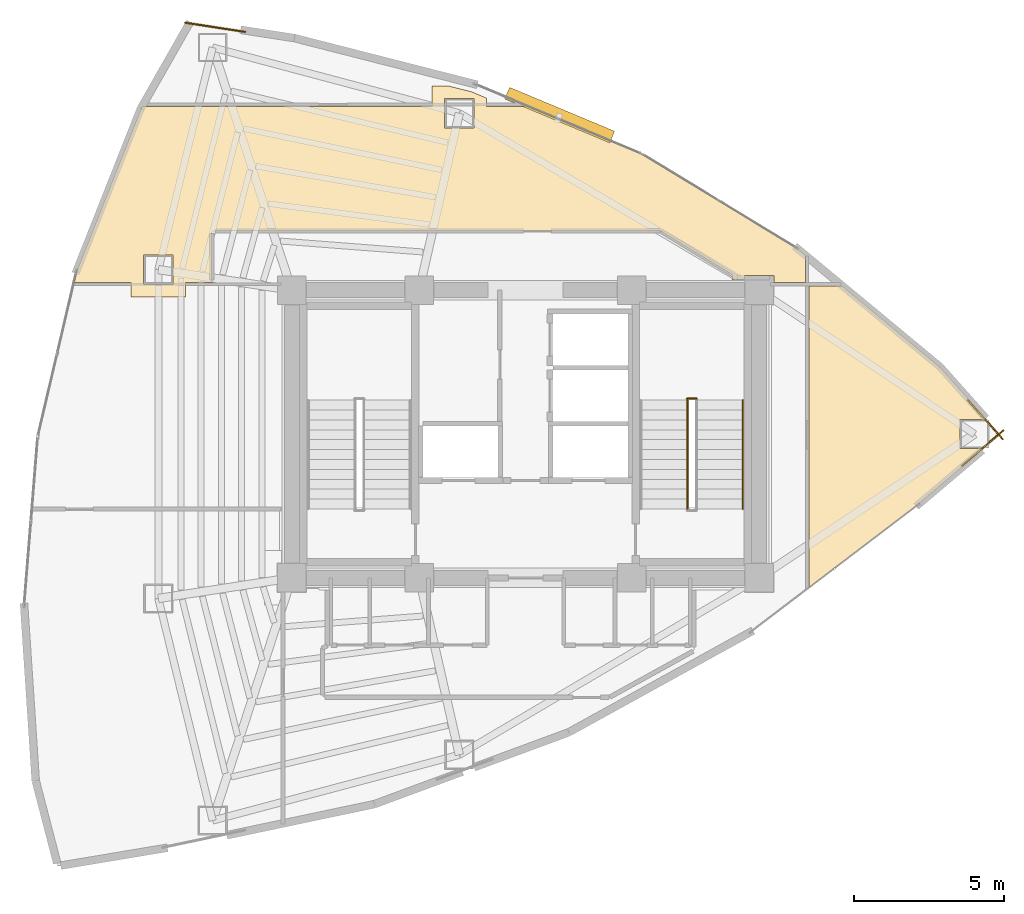
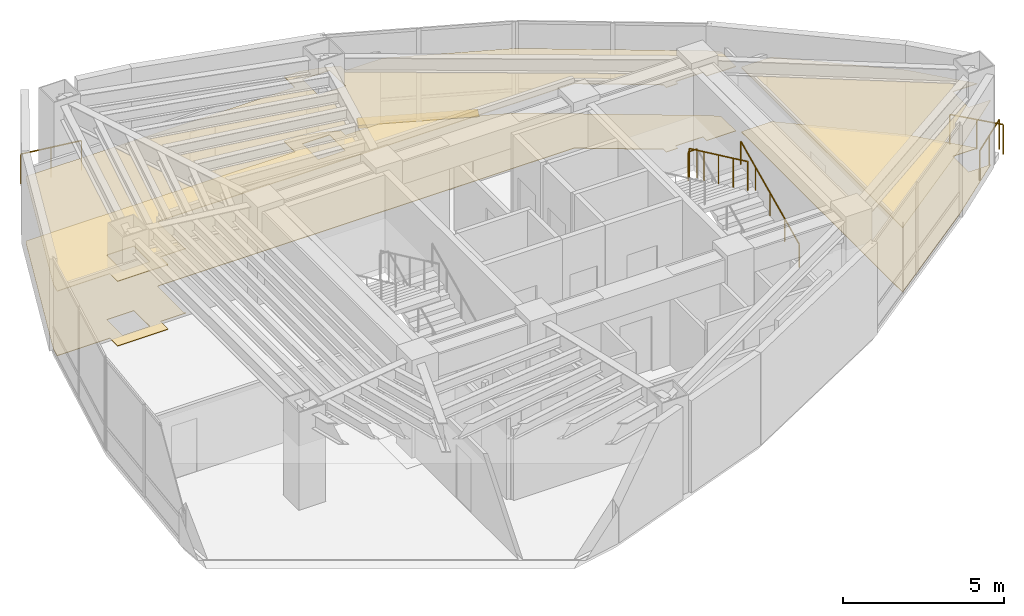
# One storey, part 15 of 15: 6 railings, 4 coverings, 1 shading device.
"""IFC4 building model written with IfcOpenShell, lengths in metres."""

from ifc_helpers import new_model, si_unit, direction, frame, origin, origin_2d, place, context, subcontext, project, spatial, polyline, rectangle, circle, outline, extrude, material, layer, layer_set, type_object, element, save


model = new_model("IFC4")

# Units and contexts
model_context = context("Model", 3, precision=1e-05, world=origin(), true_north=direction((0.0, 1.0)))
body_context = subcontext(model_context, "Body", "Model", "MODEL_VIEW")
ifc_project = project(units=[si_unit("LENGTHUNIT", "METRE"), si_unit("AREAUNIT", "SQUARE_METRE"), si_unit("VOLUMEUNIT", "CUBIC_METRE"), si_unit("PLANEANGLEUNIT", "RADIAN"), si_unit("MASSUNIT", "GRAM", prefix="KILO")], contexts=[model_context])

# Site, building, storey
site_placement = place(None, origin())
site = spatial("IfcSite", under=ifc_project, at=site_placement, CompositionType="ELEMENT")
building_placement = place(site_placement, origin())
building = spatial("IfcBuilding", under=site, at=building_placement, Name="Menara Vayukalpa", CompositionType="ELEMENT")
storey_placement = place(building_placement, frame((0.0, 0.0, 180.360107421875)))
storey = spatial("IfcBuildingStorey", under=building, at=storey_placement, Name="L45", CompositionType="ELEMENT", Elevation=180.360107421875)

# Coverings
ifc_material_1 = material(Name="Mineral Fibre Acoustic Ceiling Tile", Category="masonry")
ifc_layer_1 = layer(ifc_material_1, 0.02490234375)
ifc_layer_set_1 = layer_set([ifc_layer_1], Name="Mineral Fibre Acoustic Ceiling Tile")
covering_type_1 = type_object("IfcCoveringType", Name="COV-CLG1", PredefinedType="CEILING", material=ifc_layer_set_1)
covering_1_placement = place(storey_placement, frame((0.0, 0.0, 2.449951171875)))
element("IfcCovering", 1, at=covering_1_placement, inside=storey, type_object=covering_type_1, Name="L45 Staff Dining and Pantry Acoustic Ceiling", PredefinedType="CEILING", context=body_context, shape_type="SweptSolid", body=[
    extrude(outline(polyline([(39.432861328125, 24.234375), (40.98828125, 22.489990234375), (40.1005859375, 22.489990234375), (40.1005859375, 21.510009765625), (40.89599609375, 21.510009765625), (38.715087890625, 19.6650390625), (38.71484375, 19.66455078125), (35.076171875, 16.89599609375), (35.0751953125, 16.8955078125), (35.074462890625, 16.89501953125), (35.073486328125, 16.89453125), (35.072509765625, 16.894287109375), (35.07177734375, 16.89404296875), (35.07080078125, 16.893798828125), (35.069580078125, 16.893798828125), (35.06884765625, 16.89404296875), (35.06787109375, 16.89404296875), (35.06689453125, 16.894287109375), (35.06591796875, 16.894775390625), (35.065185546875, 16.895263671875), (35.064208984375, 16.895751953125), (35.0634765625, 16.896240234375), (35.062744140625, 16.89697265625), (35.062255859375, 16.897705078125), (35.0615234375, 16.8984375), (35.06103515625, 16.8994140625), (35.060791015625, 16.900146484375), (35.060302734375, 16.90087890625), (35.060302734375, 16.902099609375), (35.06005859375, 16.90283203125), (35.06005859375, 16.90380859375), (35.06005859375, 26.929931640625), (35.06005859375, 26.930908203125), (35.060302734375, 26.931884765625), (35.060302734375, 26.932861328125), (35.060791015625, 26.933837890625), (35.061279296875, 26.934814453125), (35.061767578125, 26.935546875), (35.062255859375, 26.936279296875), (35.06298828125, 26.93701171875), (35.063720703125, 26.937744140625), (35.064453125, 26.938232421875), (35.065185546875, 26.938720703125), (35.066162109375, 26.939208984375), (35.067138671875, 26.939697265625), (35.068115234375, 26.939697265625), (35.069091796875, 26.93994140625), (35.070068359375, 26.93994140625), (36.12890625, 26.93994140625), (36.135009765625, 26.940185546875), (36.140869140625, 26.941162109375), (36.146484375, 26.942626953125), (36.152099609375, 26.944580078125), (36.154052734375, 26.945556640625), (36.155029296875, 26.94580078125), (36.156005859375, 26.9462890625), (36.156982421875, 26.9462890625), (36.15771484375, 26.946533203125), (36.15869140625, 26.946533203125), (36.15966796875, 26.946533203125), (36.16064453125, 26.9462890625), (36.16162109375, 26.946044921875), (36.16259765625, 26.94580078125), (36.163330078125, 26.9453125), (36.164306640625, 26.94482421875), (36.1650390625, 26.9443359375), (39.431640625, 24.2353515625), (39.43212890625, 24.23486328125), (39.432861328125, 24.234375)])), origin(), (0.0, 0.0, 1.0), 0.02490234375),
])
covering_2_placement = place(storey_placement, frame((0.0, 0.0, 2.449951171875)))
element("IfcCovering", 2, at=covering_2_placement, inside=storey, type_object=covering_type_1, Name="L45 Operations Support Office Acoustic Ceiling", PredefinedType="CEILING", context=body_context, shape_type="SweptSolid", body=[
    extrude(outline(polyline([(32.489990234375, 27.322265625), (30.12353515625, 28.759765625), (30.117919921875, 28.762939453125), (30.112060546875, 28.765380859375), (30.10595703125, 28.767333984375), (30.099609375, 28.768798828125), (30.093505859375, 28.769775390625), (30.0869140625, 28.77001953125), (15.2001953125, 28.77001953125), (15.193115234375, 28.76953125), (15.186279296875, 28.768798828125), (15.1796875, 28.76708984375), (15.173095703125, 28.7646484375), (15.1669921875, 28.76171875), (15.1611328125, 28.75830078125), (15.155517578125, 28.75390625), (15.150390625, 28.74951171875), (15.14599609375, 28.744384765625), (15.141845703125, 28.73876953125), (15.13818359375, 28.73291015625), (15.13525390625, 28.726806640625), (15.133056640625, 28.72021484375), (15.13134765625, 28.713623046875), (15.13037109375, 28.706787109375), (15.1298828125, 28.69970703125), (15.1298828125, 27.140380859375), (15.13037109375, 27.13330078125), (15.13134765625, 27.126220703125), (15.133056640625, 27.11962890625), (15.13525390625, 27.11328125), (15.13818359375, 27.10693359375), (15.141845703125, 27.101318359375), (15.14599609375, 27.095458984375), (15.150390625, 27.090576171875), (15.155517578125, 27.0859375), (15.1611328125, 27.081787109375), (15.16650390625, 27.07861328125), (15.16748046875, 27.077880859375), (15.168212890625, 27.077392578125), (15.1689453125, 27.07666015625), (15.16943359375, 27.075927734375), (15.169921875, 27.074951171875), (15.17041015625, 27.07421875), (15.1708984375, 27.0732421875), (15.171142578125, 27.072265625), (15.17138671875, 27.0712890625), (15.17138671875, 27.0703125), (15.17138671875, 27.0693359375), (15.17138671875, 27.068359375), (15.1708984375, 27.0673828125), (15.170654296875, 27.06640625), (15.17041015625, 27.0654296875), (15.169921875, 27.064697265625), (15.169189453125, 27.063720703125), (15.168701171875, 27.06298828125), (15.167724609375, 27.062255859375), (15.1669921875, 27.061767578125), (15.166259765625, 27.061279296875), (15.165283203125, 27.060791015625), (15.164306640625, 27.060302734375), (15.163330078125, 27.060302734375), (15.162353515625, 27.06005859375), (15.161376953125, 27.06005859375), (14.25390625, 27.06005859375), (14.25390625, 26.5791015625), (12.43408203125, 26.5791015625), (12.43408203125, 27.06005859375), (10.5478515625, 27.06005859375), (10.546875, 27.06005859375), (10.5458984375, 27.060302734375), (10.544921875, 27.060302734375), (10.5439453125, 27.060791015625), (10.543212890625, 27.061279296875), (10.542236328125, 27.061767578125), (10.54150390625, 27.0625), (10.540771484375, 27.06298828125), (10.5400390625, 27.063720703125), (10.53955078125, 27.064697265625), (10.5390625, 27.0654296875), (10.53857421875, 27.06640625), (10.538330078125, 27.0673828125), (10.5380859375, 27.068359375), (10.537841796875, 27.0693359375), (10.537841796875, 27.0703125), (10.5380859375, 27.0712890625), (10.5380859375, 27.072265625), (10.62890625, 27.458984375), (10.629150390625, 27.460205078125), (12.77001953125, 32.87255859375), (12.7705078125, 32.873779296875), (12.805419921875, 32.935302734375), (12.805908203125, 32.93603515625), (12.806640625, 32.93701171875), (12.807373046875, 32.9375), (12.80810546875, 32.938232421875), (12.80908203125, 32.938720703125), (12.809814453125, 32.939208984375), (12.810791015625, 32.939697265625), (12.811767578125, 32.93994140625), (12.812744140625, 32.940185546875), (12.813720703125, 32.940185546875), (12.814697265625, 32.940185546875), (12.819580078125, 32.93994140625), (22.4794921875, 32.93994140625), (22.4794921875, 33.618408203125), (23.03076171875, 33.618408203125), (23.799560546875, 33.42236328125), (24.29931640625, 33.21337890625), (24.29931640625, 32.93994140625), (25.560546875, 32.93994140625), (25.56640625, 32.940185546875), (25.572265625, 32.941162109375), (25.578125, 32.942626953125), (25.58349609375, 32.944580078125), (25.589111328125, 32.947021484375), (25.593994140625, 32.9501953125), (25.5986328125, 32.95361328125), (25.6005859375, 32.955322265625), (25.601318359375, 32.9560546875), (25.602294921875, 32.95654296875), (25.60302734375, 32.95703125), (25.60400390625, 32.95751953125), (25.604736328125, 32.95751953125), (25.605712890625, 32.9580078125), (25.606689453125, 32.9580078125), (25.607666015625, 32.9580078125), (25.6083984375, 32.9580078125), (25.609619140625, 32.957763671875), (25.6103515625, 32.95751953125), (25.611328125, 32.957275390625), (29.478515625, 31.33935546875), (29.479248046875, 31.339111328125), (29.47998046875, 31.338623046875), (34.660888671875, 28.19140625), (34.662109375, 28.190673828125), (34.938720703125, 27.961181640625), (34.939208984375, 27.960693359375), (34.93994140625, 27.959716796875), (34.940673828125, 27.958984375), (34.941162109375, 27.9580078125), (34.94140625, 27.957275390625), (34.94189453125, 27.956298828125), (34.942138671875, 27.955078125), (34.942138671875, 27.9541015625), (34.942138671875, 27.953125), (34.942138671875, 27.9521484375), (34.94189453125, 27.951171875), (34.941162109375, 27.947998046875), (34.940185546875, 27.9423828125), (34.93994140625, 27.936279296875), (34.93994140625, 27.070068359375), (34.93994140625, 27.069091796875), (34.939697265625, 27.068115234375), (34.939697265625, 27.067138671875), (34.939208984375, 27.066162109375), (34.938720703125, 27.065185546875), (34.938232421875, 27.064453125), (34.937744140625, 27.063720703125), (34.93701171875, 27.06298828125), (34.936279296875, 27.062255859375), (34.935546875, 27.061767578125), (34.934814453125, 27.061279296875), (34.933837890625, 27.060791015625), (34.932861328125, 27.060302734375), (34.931884765625, 27.060302734375), (34.930908203125, 27.06005859375), (34.929931640625, 27.06005859375), (33.889892578125, 27.06005859375), (33.889892578125, 27.2900390625), (32.909912109375, 27.2900390625), (32.909912109375, 27.14990234375), (32.489990234375, 27.14990234375), (32.489990234375, 27.322265625)]), holes=[polyline([(13.833984375, 27.979248046875), (12.85400390625, 27.979248046875), (12.85400390625, 26.999267578125), (13.833984375, 26.999267578125), (13.833984375, 27.979248046875)]), polyline([(23.87939453125, 33.198486328125), (22.8994140625, 33.198486328125), (22.8994140625, 32.218505859375), (23.87939453125, 32.218505859375), (23.87939453125, 33.198486328125)])]), origin(), (0.0, 0.0, 1.0), 0.02490234375),
])
ifc_material_2 = material(Name="Porcelain Stoneware Floor Tile", Category="masonry")
ifc_layer_2 = layer(ifc_material_2, 0.02001953125)
ifc_layer_set_2 = layer_set([ifc_layer_2], Name="Porcelain Stoneware Floor Tile")
covering_type_2 = type_object("IfcCoveringType", Name="COV-FLR1", PredefinedType="FLOORING", material=ifc_layer_set_2)
covering_3_placement = place(storey_placement, origin())
element("IfcCovering", 3, at=covering_3_placement, inside=storey, type_object=covering_type_2, Name="L45 Staff Dining and Pantry Porcelain Flooring", PredefinedType="FLOORING", context=body_context, shape_type="SweptSolid", body=[
    extrude(outline(polyline([(39.432861328125, 24.234375), (40.98828125, 22.489990234375), (40.1005859375, 22.489990234375), (40.1005859375, 21.510009765625), (40.89599609375, 21.510009765625), (38.715087890625, 19.6650390625), (38.71484375, 19.66455078125), (35.076171875, 16.89599609375), (35.0751953125, 16.8955078125), (35.074462890625, 16.89501953125), (35.073486328125, 16.89453125), (35.072509765625, 16.894287109375), (35.07177734375, 16.89404296875), (35.07080078125, 16.893798828125), (35.069580078125, 16.893798828125), (35.06884765625, 16.89404296875), (35.06787109375, 16.89404296875), (35.06689453125, 16.894287109375), (35.06591796875, 16.894775390625), (35.065185546875, 16.895263671875), (35.064208984375, 16.895751953125), (35.0634765625, 16.896240234375), (35.062744140625, 16.89697265625), (35.062255859375, 16.897705078125), (35.0615234375, 16.8984375), (35.06103515625, 16.8994140625), (35.060791015625, 16.900146484375), (35.060302734375, 16.90087890625), (35.060302734375, 16.902099609375), (35.06005859375, 16.90283203125), (35.06005859375, 16.90380859375), (35.06005859375, 26.929931640625), (35.06005859375, 26.930908203125), (35.060302734375, 26.931884765625), (35.060302734375, 26.932861328125), (35.060791015625, 26.933837890625), (35.061279296875, 26.934814453125), (35.061767578125, 26.935546875), (35.062255859375, 26.936279296875), (35.06298828125, 26.93701171875), (35.063720703125, 26.937744140625), (35.064453125, 26.938232421875), (35.065185546875, 26.938720703125), (35.066162109375, 26.939208984375), (35.067138671875, 26.939697265625), (35.068115234375, 26.939697265625), (35.069091796875, 26.93994140625), (35.070068359375, 26.93994140625), (36.12890625, 26.93994140625), (36.135009765625, 26.940185546875), (36.140869140625, 26.941162109375), (36.146484375, 26.942626953125), (36.152099609375, 26.944580078125), (36.154052734375, 26.945556640625), (36.155029296875, 26.94580078125), (36.156005859375, 26.9462890625), (36.156982421875, 26.9462890625), (36.15771484375, 26.946533203125), (36.15869140625, 26.946533203125), (36.15966796875, 26.946533203125), (36.16064453125, 26.9462890625), (36.16162109375, 26.946044921875), (36.16259765625, 26.94580078125), (36.163330078125, 26.9453125), (36.164306640625, 26.94482421875), (36.1650390625, 26.9443359375), (39.431640625, 24.2353515625), (39.43212890625, 24.23486328125), (39.432861328125, 24.234375)])), origin(), (0.0, 0.0, 1.0), 0.019775390625),
])
covering_4_placement = place(storey_placement, origin())
element("IfcCovering", 4, at=covering_4_placement, inside=storey, type_object=covering_type_2, Name="L45 Operations Support Office Porcelain Flooring", PredefinedType="FLOORING", context=body_context, shape_type="SweptSolid", body=[
    extrude(outline(polyline([(32.489990234375, 27.322265625), (30.12353515625, 28.759765625), (30.117919921875, 28.762939453125), (30.112060546875, 28.765380859375), (30.10595703125, 28.767333984375), (30.099609375, 28.768798828125), (30.093505859375, 28.769775390625), (30.0869140625, 28.77001953125), (15.2001953125, 28.77001953125), (15.193115234375, 28.76953125), (15.186279296875, 28.768798828125), (15.1796875, 28.76708984375), (15.173095703125, 28.7646484375), (15.1669921875, 28.76171875), (15.1611328125, 28.75830078125), (15.155517578125, 28.75390625), (15.150390625, 28.74951171875), (15.14599609375, 28.744384765625), (15.141845703125, 28.73876953125), (15.13818359375, 28.73291015625), (15.13525390625, 28.726806640625), (15.133056640625, 28.72021484375), (15.13134765625, 28.713623046875), (15.13037109375, 28.706787109375), (15.1298828125, 28.69970703125), (15.1298828125, 27.140380859375), (15.13037109375, 27.13330078125), (15.13134765625, 27.126220703125), (15.133056640625, 27.11962890625), (15.13525390625, 27.11328125), (15.13818359375, 27.10693359375), (15.141845703125, 27.101318359375), (15.14599609375, 27.095458984375), (15.150390625, 27.090576171875), (15.155517578125, 27.0859375), (15.1611328125, 27.081787109375), (15.16650390625, 27.07861328125), (15.16748046875, 27.077880859375), (15.168212890625, 27.077392578125), (15.1689453125, 27.07666015625), (15.16943359375, 27.075927734375), (15.169921875, 27.074951171875), (15.17041015625, 27.07421875), (15.1708984375, 27.0732421875), (15.171142578125, 27.072265625), (15.17138671875, 27.0712890625), (15.17138671875, 27.0703125), (15.17138671875, 27.0693359375), (15.17138671875, 27.068359375), (15.1708984375, 27.0673828125), (15.170654296875, 27.06640625), (15.17041015625, 27.0654296875), (15.169921875, 27.064697265625), (15.169189453125, 27.063720703125), (15.168701171875, 27.06298828125), (15.167724609375, 27.062255859375), (15.1669921875, 27.061767578125), (15.166259765625, 27.061279296875), (15.165283203125, 27.060791015625), (15.164306640625, 27.060302734375), (15.163330078125, 27.060302734375), (15.162353515625, 27.06005859375), (15.161376953125, 27.06005859375), (14.25390625, 27.06005859375), (14.25390625, 26.5791015625), (12.43408203125, 26.5791015625), (12.43408203125, 27.06005859375), (10.5478515625, 27.06005859375), (10.546875, 27.06005859375), (10.5458984375, 27.060302734375), (10.544921875, 27.060302734375), (10.5439453125, 27.060791015625), (10.543212890625, 27.061279296875), (10.542236328125, 27.061767578125), (10.54150390625, 27.0625), (10.540771484375, 27.06298828125), (10.5400390625, 27.063720703125), (10.53955078125, 27.064697265625), (10.5390625, 27.0654296875), (10.53857421875, 27.06640625), (10.538330078125, 27.0673828125), (10.5380859375, 27.068359375), (10.537841796875, 27.0693359375), (10.537841796875, 27.0703125), (10.5380859375, 27.0712890625), (10.5380859375, 27.072265625), (10.62890625, 27.458984375), (10.629150390625, 27.460205078125), (12.77001953125, 32.87255859375), (12.7705078125, 32.873779296875), (12.805419921875, 32.935302734375), (12.805908203125, 32.93603515625), (12.806640625, 32.93701171875), (12.807373046875, 32.9375), (12.80810546875, 32.938232421875), (12.80908203125, 32.938720703125), (12.809814453125, 32.939208984375), (12.810791015625, 32.939697265625), (12.811767578125, 32.93994140625), (12.812744140625, 32.940185546875), (12.813720703125, 32.940185546875), (12.814697265625, 32.940185546875), (12.819580078125, 32.93994140625), (22.4794921875, 32.93994140625), (22.4794921875, 33.618408203125), (23.03076171875, 33.618408203125), (23.799560546875, 33.42236328125), (24.29931640625, 33.21337890625), (24.29931640625, 32.93994140625), (25.560546875, 32.93994140625), (25.56640625, 32.940185546875), (25.572265625, 32.941162109375), (25.578125, 32.942626953125), (25.58349609375, 32.944580078125), (25.589111328125, 32.947021484375), (25.593994140625, 32.9501953125), (25.5986328125, 32.95361328125), (25.6005859375, 32.955322265625), (25.601318359375, 32.9560546875), (25.602294921875, 32.95654296875), (25.60302734375, 32.95703125), (25.60400390625, 32.95751953125), (25.604736328125, 32.95751953125), (25.605712890625, 32.9580078125), (25.606689453125, 32.9580078125), (25.607666015625, 32.9580078125), (25.6083984375, 32.9580078125), (25.609619140625, 32.957763671875), (25.6103515625, 32.95751953125), (25.611328125, 32.957275390625), (29.478515625, 31.33935546875), (29.479248046875, 31.339111328125), (29.47998046875, 31.338623046875), (34.660888671875, 28.19140625), (34.662109375, 28.190673828125), (34.938720703125, 27.961181640625), (34.939208984375, 27.960693359375), (34.93994140625, 27.959716796875), (34.940673828125, 27.958984375), (34.941162109375, 27.9580078125), (34.94140625, 27.957275390625), (34.94189453125, 27.956298828125), (34.942138671875, 27.955078125), (34.942138671875, 27.9541015625), (34.942138671875, 27.953125), (34.942138671875, 27.9521484375), (34.94189453125, 27.951171875), (34.941162109375, 27.947998046875), (34.940185546875, 27.9423828125), (34.93994140625, 27.936279296875), (34.93994140625, 27.070068359375), (34.93994140625, 27.069091796875), (34.939697265625, 27.068115234375), (34.939697265625, 27.067138671875), (34.939208984375, 27.066162109375), (34.938720703125, 27.065185546875), (34.938232421875, 27.064453125), (34.937744140625, 27.063720703125), (34.93701171875, 27.06298828125), (34.936279296875, 27.062255859375), (34.935546875, 27.061767578125), (34.934814453125, 27.061279296875), (34.933837890625, 27.060791015625), (34.932861328125, 27.060302734375), (34.931884765625, 27.060302734375), (34.930908203125, 27.06005859375), (34.929931640625, 27.06005859375), (33.889892578125, 27.06005859375), (33.889892578125, 27.2900390625), (32.909912109375, 27.2900390625), (32.909912109375, 27.14990234375), (32.489990234375, 27.14990234375), (32.489990234375, 27.322265625)]), holes=[polyline([(13.833984375, 27.979248046875), (12.85400390625, 27.979248046875), (12.85400390625, 26.999267578125), (13.833984375, 26.999267578125), (13.833984375, 27.979248046875)]), polyline([(23.87939453125, 33.198486328125), (22.8994140625, 33.198486328125), (22.8994140625, 32.218505859375), (23.87939453125, 32.218505859375), (23.87939453125, 33.198486328125)])]), origin(), (0.0, 0.0, 1.0), 0.019775390625),
])

# Railings
ifc_material_3 = material(Name="Laminated Glass and Stainless Steel 316 Guardrail", Category="steel")
railing_type_1 = type_object("IfcRailingType", Name="RLG-EXT115", PredefinedType="GUARDRAIL", material=ifc_material_3)
railing_1_placement = place(storey_placement, frame((40.174072265625, 20.95166015625, 0.0)))
element("IfcRailing", 5, at=railing_1_placement, inside=storey, type_object=railing_type_1, Name="L45 Column Corner Spandrel Guardrail 01-1", PredefinedType="GUARDRAIL", context=body_context, shape_type="SweptSolid", body=[
    extrude(circle(Radius=0.02392578125, at=origin_2d()), frame((0.0, 0.0, 1.1259765625), z_axis=(0.763483853342, 0.645826916198, 0.0), x_axis=(-0.645826916198, 0.763483853342, 0.0)), (0.0, 0.0, 1.0), 1.80322265625),
    extrude(circle(Radius=0.02099609375, at=origin_2d()), origin(), (0.0, 0.0, 1.0), 1.101806640625),
    extrude(circle(Radius=0.02099609375, at=origin_2d()), frame((0.6884765625, 0.582275390625, 0.0)), (0.0, 0.0, 1.0), 1.101806640625),
    extrude(circle(Radius=0.02099609375, at=origin_2d()), frame((1.376708984375, 1.16455078125, 0.0)), (0.0, 0.0, 1.0), 1.101806640625),
])
railing_2_placement = place(storey_placement, frame((41.5302734375, 21.822021484375, 0.0)))
element("IfcRailing", 6, at=railing_2_placement, inside=storey, type_object=railing_type_1, Name="L45 Column Corner Spandrel Guardrail 02-1", PredefinedType="GUARDRAIL", context=body_context, shape_type="SweptSolid", body=[
    extrude(circle(Radius=0.02392578125, at=origin_2d()), frame((0.0, 0.0, 1.1259765625), z_axis=(-0.665572926264, 0.746332821082, 0.0), x_axis=(-0.746332821082, -0.665572926264, 0.0)), (0.0, 0.0, 1.0), 1.75341796875),
    extrude(circle(Radius=0.02099609375, at=origin_2d()), origin(), (0.0, 0.0, 1.0), 1.101806640625),
    extrude(circle(Radius=0.02099609375, at=origin_2d()), frame((-0.58349609375, 0.654296875, 0.0)), (0.0, 0.0, 1.0), 1.101806640625),
    extrude(circle(Radius=0.02099609375, at=origin_2d()), frame((-1.1669921875, 1.30859375, 0.0)), (0.0, 0.0, 1.0), 1.101806640625),
])
railing_3_placement = place(storey_placement, frame((16.241455078125, 35.422119140625, 0.0)))
element("IfcRailing", 7, at=railing_3_placement, inside=storey, type_object=railing_type_1, Name="L45 Column Corner Spandrel Guardrail 07-1", PredefinedType="GUARDRAIL", context=body_context, shape_type="SweptSolid", body=[
    extrude(circle(Radius=0.02392578125, at=origin_2d()), frame((0.0, 0.0, 1.1259765625), z_axis=(-0.988382815583, 0.151984900109, 0.0), x_axis=(-0.151984900109, -0.988382815583, 0.0)), (0.0, 0.0, 1.0), 2.030517578125),
    extrude(circle(Radius=0.02099609375, at=origin_2d()), origin(), (0.0, 0.0, 1.0), 1.101806640625),
    extrude(circle(Radius=0.02099609375, at=origin_2d()), frame((-1.00341796875, 0.154296875, 0.0)), (0.0, 0.0, 1.0), 1.101806640625),
    extrude(circle(Radius=0.02099609375, at=origin_2d()), frame((-2.0068359375, 0.30859375, 0.0)), (0.0, 0.0, 1.0), 1.101806640625),
])
ifc_material_4 = material(Name="Powder-Coated Galvanised Steel Guardrail", Category="steel")
railing_type_2 = type_object("IfcRailingType", Name="RLG-STG110", PredefinedType="GUARDRAIL", material=ifc_material_4)
railing_4_placement = place(storey_placement, frame((31.31005859375, 23.179931640625, 1.85986328125)))
element("IfcRailing", 8, at=railing_4_placement, inside=storey, type_object=railing_type_2, Name="L45 ST-2 stair guard 2", PredefinedType="GUARDRAIL", context=body_context, shape_type="SweptSolid", body=[
    extrude(circle(Radius=0.02392578125, at=origin_2d()), frame((0.0, 0.0, 1.09619140625), z_axis=(-1.0, 0.0, 0.0), x_axis=(0.0, -1.0, 0.0)), (0.0, 0.0, 1.0), 0.320068359375),
    extrude(circle(Radius=0.02099609375, at=origin_2d()), origin(), (0.0, 0.0, 1.0), 1.072021484375),
    extrude(circle(Radius=0.02099609375, at=origin_2d()), frame((-0.320068359375, 0.0, 0.0)), (0.0, 0.0, 1.0), 1.072021484375),
])
railing_5_placement = place(storey_placement, frame((31.0, 23.1298828125, 2.014892578125)))
element("IfcRailing", 9, at=railing_5_placement, inside=storey, type_object=railing_type_2, Name="L45 ST-2 stair guard 3", PredefinedType="GUARDRAIL", context=body_context, shape_type="SweptSolid", body=[
    extrude(circle(Radius=0.02392578125, at=origin_2d()), frame((0.0, 0.0, 1.09619140625), z_axis=(0.0, -0.90511648382, 0.425163675209), x_axis=(1.0, 0.0, 0.0)), (0.0, 0.0, 1.0), 4.010498046875),
    extrude(circle(Radius=0.02099609375, at=origin_2d()), origin(), (0.0, 0.0, 1.0), 1.072021484375),
    extrude(circle(Radius=0.02099609375, at=origin_2d()), frame((0.0, -0.907470703125, 0.42626953125)), (0.0, 0.0, 1.0), 1.072021484375),
    extrude(circle(Radius=0.02099609375, at=origin_2d()), frame((0.0, -1.81494140625, 0.8525390625)), (0.0, 0.0, 1.0), 1.072021484375),
    extrude(circle(Radius=0.02099609375, at=origin_2d()), frame((0.0, -2.722412109375, 1.27880859375)), (0.0, 0.0, 1.0), 1.072021484375),
    extrude(circle(Radius=0.02099609375, at=origin_2d()), frame((0.0, -3.6298828125, 1.705078125)), (0.0, 0.0, 1.0), 1.072021484375),
])
ifc_material_5 = material(Name="Stainless Steel 316 Tubular Handrail", Category="steel")
railing_type_3 = type_object("IfcRailingType", Name="RLG-STH090", PredefinedType="HANDRAIL", material=ifc_material_5)
railing_6_placement = place(storey_placement, frame((32.85009765625, 19.5, 0.15478515625)))
element("IfcRailing", 10, at=railing_6_placement, inside=storey, type_object=railing_type_3, Name="L45 ST-2 stair handrail 1", PredefinedType="HANDRAIL", context=body_context, shape_type="SweptSolid", body=[
    extrude(circle(Radius=0.02392578125, at=origin_2d()), frame((0.0, 0.0, 0.8759765625), z_axis=(0.0, 0.90511648382, 0.425163675209), x_axis=(-1.0, 0.0, 0.0)), (0.0, 0.0, 1.0), 4.010498046875),
    extrude(circle(Radius=0.02099609375, at=origin_2d()), origin(), (0.0, 0.0, 1.0), 0.851806640625),
    extrude(circle(Radius=0.02099609375, at=origin_2d()), frame((0.0, 0.907470703125, 0.42626953125)), (0.0, 0.0, 1.0), 0.851806640625),
    extrude(circle(Radius=0.02099609375, at=origin_2d()), frame((0.0, 1.81494140625, 0.8525390625)), (0.0, 0.0, 1.0), 0.851806640625),
    extrude(circle(Radius=0.02099609375, at=origin_2d()), frame((0.0, 2.722412109375, 1.27880859375)), (0.0, 0.0, 1.0), 0.851806640625),
    extrude(circle(Radius=0.02099609375, at=origin_2d()), frame((0.0, 3.6298828125, 1.705078125)), (0.0, 0.0, 1.0), 0.851806640625),
])

# Shading device
ifc_material_6 = material(Name="Glazed Terracotta Ceramic Baguette Extrusion", Category="masonry")
ifc_layer_3 = layer(ifc_material_6, 0.1201171875)
ifc_layer_set_3 = layer_set([ifc_layer_3], Name="Glazed Terracotta Ceramic Baguette Extrusion")
shading_device_type = type_object("IfcShadingDeviceType", Name="SHD-SS1", PredefinedType="USERDEFINED", material=ifc_layer_set_3)
shading_device_placement = place(storey_placement, frame((26.740234375, 32.6474609375, -0.10009765625), z_axis=(0.0, 0.0, 1.0), x_axis=(-0.922538089456, 0.385906042324, 0.0)))
element("IfcShadingDevice", 11, at=shading_device_placement, inside=storey, type_object=shading_device_type, Name="L45 Horizontal Terracotta Sunshade Band 05", ObjectType="SUNSHADE", PredefinedType="USERDEFINED", context=body_context, shape_type="SweptSolid", body=[
    extrude(rectangle(XDim=3.800048828125, YDim=0.419921875, at=origin_2d()), origin(), (0.0, 0.0, 1.0), 0.1201171875),
])

save(model, "model.ifc")
